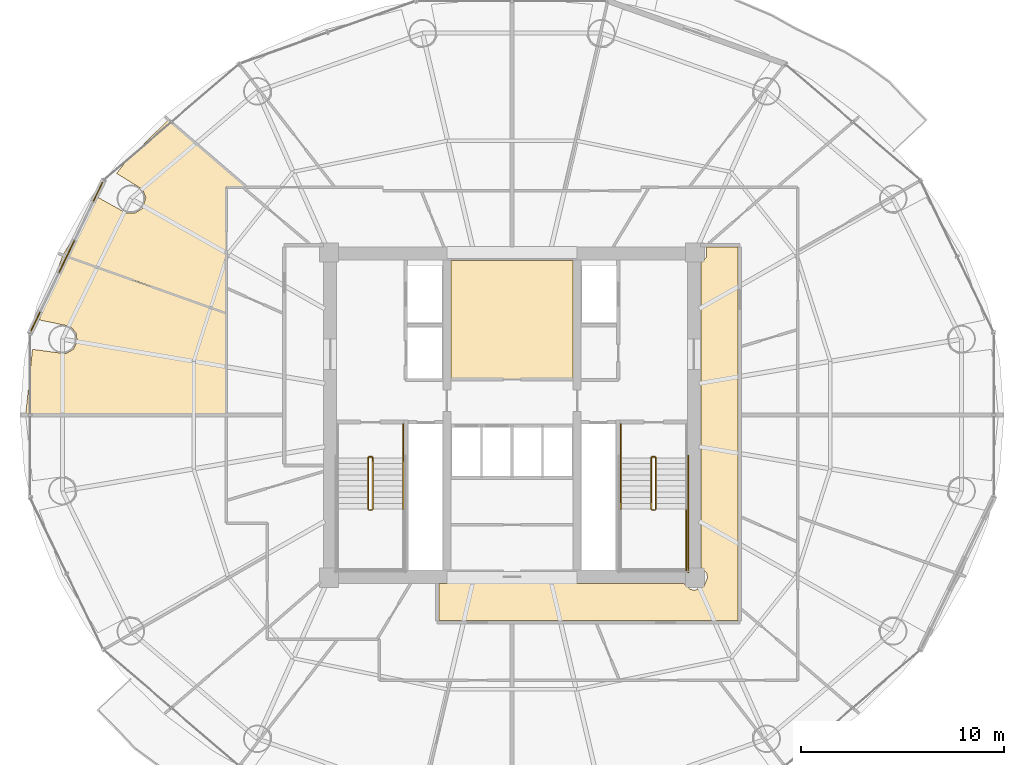
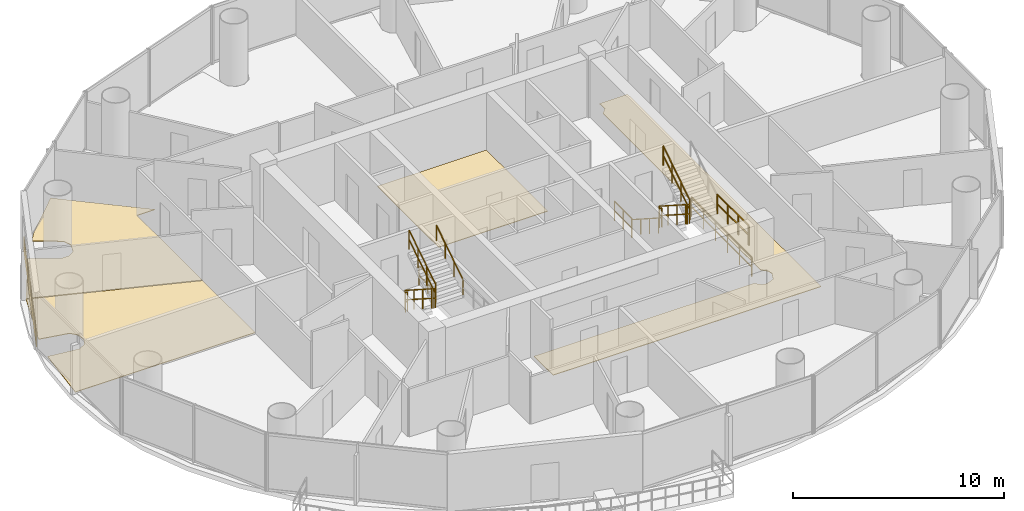
# One storey, part 26 of 27: 14 railings, 5 coverings.
"""IFC4 building model written with IfcOpenShell, lengths in metres."""

from ifc_helpers import new_model, si_unit, direction, frame, origin, origin_2d, place, context, subcontext, project, spatial, polyline, rectangle, outline, extrude, source, transform, mapped, material, layer, layer_set, type_object, element, save


model = new_model("IFC4")

# Units and contexts
model_context = context("Model", 3, precision=1e-05, world=origin(), true_north=direction((-0.2419218956, 0.970295726276)))
body_context = subcontext(model_context, "Body", "Model", "MODEL_VIEW")
ifc_project = project(units=[si_unit("LENGTHUNIT", "METRE"), si_unit("AREAUNIT", "SQUARE_METRE"), si_unit("VOLUMEUNIT", "CUBIC_METRE"), si_unit("PLANEANGLEUNIT", "RADIAN"), si_unit("MASSUNIT", "GRAM", prefix="KILO")], contexts=[model_context])

# Site, building, storey
site_placement = place(None, origin())
site = spatial("IfcSite", under=ifc_project, at=site_placement, CompositionType="ELEMENT")
building_placement = place(site_placement, origin())
building = spatial("IfcBuilding", under=site, at=building_placement, Name="Cobrevalo Terracotta Tower", CompositionType="ELEMENT")
storey_placement = place(building_placement, frame((0.0, 0.0, 157.0)))
storey = spatial("IfcBuildingStorey", under=building, at=storey_placement, Name="L41", CompositionType="ELEMENT", Elevation=157.0)

# Coverings
ifc_material_1 = material(Name="Engineered Brazilian hardwood flooring", Category="wood")
ifc_layer_1 = layer(ifc_material_1, 0.028076171875)
ifc_layer_set_1 = layer_set([ifc_layer_1], Name="Engineered Brazilian hardwood flooring")
covering_type_1 = type_object("IfcCoveringType", Name="Engineered Hardwood Suite Flooring 28", PredefinedType="FLOORING", material=ifc_layer_set_1)
covering_1_placement = place(storey_placement, origin())
element("IfcCovering", 1, at=covering_1_placement, inside=storey, type_object=covering_type_1, Name="Flat L41B Principal Guest Bedroom floor finish", PredefinedType="FLOORING", context=body_context, shape_type="SweptSolid", body=[
    extrude(outline(polyline([(17.632568359375, 37.50634765625), (19.017822265625, 36.736572265625), (19.447265625, 36.725830078125), (19.810302734375, 36.955322265625), (19.988525390625, 37.4931640625), (19.834228515625, 37.89404296875), (18.551513671875, 38.6865234375), (19.02197265625, 39.29052734375), (21.0888671875, 41.308837890625), (24.921142578125, 38.014892578125), (23.93505859375, 38.014892578125), (23.93505859375, 31.82861328125), (15.918212890625, 34.6826171875), (17.632568359375, 37.50634765625)])), origin(), (0.0, 0.0, 1.0), 0.030029296875),
])
covering_2_placement = place(storey_placement, origin())
element("IfcCovering", 2, at=covering_2_placement, inside=storey, type_object=covering_type_1, Name="Flat L41B Penthouse Family Lounge floor finish", PredefinedType="FLOORING", context=body_context, shape_type="SweptSolid", body=[
    extrude(outline(polyline([(23.93505859375, 31.7861328125), (23.93505859375, 26.820068359375), (14.08154296875, 26.820068359375), (14.41357421875, 30.03369140625), (16.048583984375, 29.814697265625), (16.421630859375, 30.028076171875), (16.613037109375, 30.41259765625), (16.55859375, 30.8388671875), (16.2763671875, 31.1630859375), (14.748291015625, 31.478271484375), (15.898681640625, 34.647216796875), (23.93505859375, 31.7861328125)])), origin(), (0.0, 0.0, 1.0), 0.030029296875),
])
ifc_material_2 = material(Name="Honed terracotta and granite tile", Category="masonry")
ifc_layer_2 = layer(ifc_material_2, 0.034912109375)
ifc_layer_set_2 = layer_set([ifc_layer_2], Name="Honed terracotta and granite tile")
covering_type_2 = type_object("IfcCoveringType", Name="Honed Terracotta & Granite Interior Flooring 35", PredefinedType="FLOORING", material=ifc_layer_set_2)
covering_3_placement = place(storey_placement, origin())
element("IfcCovering", 3, at=covering_3_placement, inside=storey, type_object=covering_type_2, Name="Floor Electrical Switchroom floor finish", PredefinedType="FLOORING", context=body_context, shape_type="SweptSolid", body=[
    extrude(outline(polyline([(35.010009765625, 34.405029296875), (40.989990234375, 34.405029296875), (40.989990234375, 28.580078125), (35.010009765625, 28.580078125), (35.010009765625, 34.405029296875)])), origin(), (0.0, 0.0, 1.0), 0.030029296875),
])
covering_4_placement = place(storey_placement, origin())
element("IfcCovering", 4, at=covering_4_placement, inside=storey, type_object=covering_type_2, Name="L41 Residential Floor Corridor 1 floor finish", PredefinedType="FLOORING", context=body_context, shape_type="SweptSolid", body=[
    extrude(outline(polyline([(34.419921875, 18.5048828125), (46.46533203125, 18.5048828125), (46.7626953125, 18.226806640625), (47.0, 18.1796875), (47.438720703125, 18.361328125), (47.620361328125, 18.800048828125), (47.5732421875, 19.037353515625), (47.294921875, 19.334716796875), (47.294921875, 34.265380859375), (47.5732421875, 34.5625), (47.5615234375, 35.054931640625), (49.10498046875, 35.054931640625), (49.10498046875, 16.695068359375), (34.419921875, 16.695068359375), (34.419921875, 18.5048828125)])), origin(), (0.0, 0.0, 1.0), 0.030029296875),
])

# Railings
ifc_material_3 = material(Name="Brushed stainless steel", Category="steel")
railing_type_1 = type_object("IfcRailingType", Name="Stainless Steel Stair Handrail 900", PredefinedType="HANDRAIL", material=ifc_material_3)
railing_1_placement = place(storey_placement, frame((32.64501953125, 22.179931640625, 1.97998046875)))
element("IfcRailing", 5, at=railing_1_placement, inside=storey, type_object=railing_type_1, Name="L41 ST-1 stair handrail 2", PredefinedType="HANDRAIL", context=body_context, shape_type="SweptSolid", body=[
    extrude(rectangle(XDim=0.048095703125, YDim=0.048095703125, at=origin_2d()), frame((0.0, 0.0, 0.8759765625), z_axis=(0.0, 0.841162588446, 0.540782303519), x_axis=(-1.0, 0.0, 0.0)), (0.0, 0.0, 1.0), 2.995849609375),
    extrude(rectangle(XDim=0.0419921875, YDim=0.0419921875, at=origin_2d()), origin(), (0.0, 0.0, 1.0), 0.851806640625),
    extrude(rectangle(XDim=0.0419921875, YDim=0.0419921875, at=origin_2d()), frame((0.0, 0.840087890625, 0.5400390625)), (0.0, 0.0, 1.0), 0.851806640625),
    extrude(rectangle(XDim=0.0419921875, YDim=0.0419921875, at=origin_2d()), frame((0.0, 1.679931640625, 1.080078125)), (0.0, 0.0, 1.0), 0.851806640625),
    extrude(rectangle(XDim=0.0419921875, YDim=0.0419921875, at=origin_2d()), frame((0.0, 2.52001953125, 1.6201171875)), (0.0, 0.0, 1.0), 0.851806640625),
])
railing_2_placement = place(storey_placement, frame((43.35498046875, 24.699951171875, 0.179931640625)))
element("IfcRailing", 6, at=railing_2_placement, inside=storey, type_object=railing_type_1, Name="L41 ST-2 stair handrail 1", PredefinedType="HANDRAIL", context=body_context, shape_type="SweptSolid", body=[
    extrude(rectangle(XDim=0.048095703125, YDim=0.048095703125, at=origin_2d()), frame((0.0, 0.0, 0.8759765625), z_axis=(0.0, -0.841162588446, 0.540782303519), x_axis=(1.0, 0.0, 0.0)), (0.0, 0.0, 1.0), 2.995849609375),
    extrude(rectangle(XDim=0.0419921875, YDim=0.0419921875, at=origin_2d()), origin(), (0.0, 0.0, 1.0), 0.851806640625),
    extrude(rectangle(XDim=0.0419921875, YDim=0.0419921875, at=origin_2d()), frame((0.0, -0.840087890625, 0.5400390625)), (0.0, 0.0, 1.0), 0.851806640625),
    extrude(rectangle(XDim=0.0419921875, YDim=0.0419921875, at=origin_2d()), frame((0.0, -1.679931640625, 1.080078125)), (0.0, 0.0, 1.0), 0.851806640625),
    extrude(rectangle(XDim=0.0419921875, YDim=0.0419921875, at=origin_2d()), frame((0.0, -2.52001953125, 1.6201171875)), (0.0, 0.0, 1.0), 0.851806640625),
])
ifc_material_4 = material(Name="Painted galvanized steel", Category="steel")
railing_type_2 = type_object("IfcRailingType", Name="Stair Well Guard Balustrade 1150", PredefinedType="GUARDRAIL", material=ifc_material_4)
railing_3_placement = place(storey_placement, frame((30.925048828125, 24.699951171875, 0.179931640625)))
element("IfcRailing", 7, at=railing_3_placement, inside=storey, type_object=railing_type_2, Name="L41 ST-1 stair guard 1", PredefinedType="GUARDRAIL", context=body_context, shape_type="SweptSolid", body=[
    extrude(rectangle(XDim=0.048095703125, YDim=0.048095703125, at=origin_2d()), frame((0.0, 0.0, 1.1259765625), z_axis=(0.0, -0.841162588446, 0.540782303519), x_axis=(1.0, 0.0, 0.0)), (0.0, 0.0, 1.0), 2.995849609375),
    extrude(rectangle(XDim=0.048095703125, YDim=0.048095703125, at=origin_2d()), frame((0.0, 0.0, 0.574951171875), z_axis=(0.0, -0.841162588446, 0.540782303519), x_axis=(1.0, 0.0, 0.0)), (0.0, 0.0, 1.0), 2.995849609375),
    extrude(rectangle(XDim=0.0419921875, YDim=0.0419921875, at=origin_2d()), origin(), (0.0, 0.0, 1.0), 1.101806640625),
    extrude(rectangle(XDim=0.0419921875, YDim=0.0419921875, at=origin_2d()), frame((0.0, -0.840087890625, 0.5400390625)), (0.0, 0.0, 1.0), 1.101806640625),
    extrude(rectangle(XDim=0.0419921875, YDim=0.0419921875, at=origin_2d()), frame((0.0, -1.679931640625, 1.080078125)), (0.0, 0.0, 1.0), 1.101806640625),
    extrude(rectangle(XDim=0.0419921875, YDim=0.0419921875, at=origin_2d()), frame((0.0, -2.52001953125, 1.6201171875)), (0.0, 0.0, 1.0), 1.101806640625),
])
railing_4_placement = place(storey_placement, frame((30.97509765625, 22.1298828125, 1.800048828125)))
element("IfcRailing", 8, at=railing_4_placement, inside=storey, type_object=railing_type_2, Name="L41 ST-1 stair guard 2", PredefinedType="GUARDRAIL", context=body_context, shape_type="SweptSolid", body=[
    extrude(rectangle(XDim=0.048095703125, YDim=0.048095703125, at=origin_2d()), frame((0.0, 0.0, 1.1259765625), z_axis=(1.0, 0.0, 0.0), x_axis=(0.0, 1.0, 0.0)), (0.0, 0.0, 1.0), 0.119873046875),
    extrude(rectangle(XDim=0.048095703125, YDim=0.048095703125, at=origin_2d()), frame((0.0, 0.0, 0.574951171875), z_axis=(1.0, 0.0, 0.0), x_axis=(0.0, 1.0, 0.0)), (0.0, 0.0, 1.0), 0.119873046875),
    extrude(rectangle(XDim=0.0419921875, YDim=0.0419921875, at=origin_2d()), origin(), (0.0, 0.0, 1.0), 1.101806640625),
    extrude(rectangle(XDim=0.0419921875, YDim=0.0419921875, at=origin_2d()), frame((0.119873046875, 0.0, 0.0)), (0.0, 0.0, 1.0), 1.101806640625),
])
railing_5_placement = place(storey_placement, frame((31.14501953125, 22.179931640625, 1.97998046875)))
element("IfcRailing", 9, at=railing_5_placement, inside=storey, type_object=railing_type_2, Name="L41 ST-1 stair guard 6", PredefinedType="GUARDRAIL", context=body_context, shape_type="SweptSolid", body=[
    extrude(rectangle(XDim=0.048095703125, YDim=0.048095703125, at=origin_2d()), frame((0.0, 0.0, 1.1259765625), z_axis=(0.0, 0.841162588446, 0.540782303519), x_axis=(-1.0, 0.0, 0.0)), (0.0, 0.0, 1.0), 2.995849609375),
    extrude(rectangle(XDim=0.048095703125, YDim=0.048095703125, at=origin_2d()), frame((0.0, 0.0, 0.574951171875), z_axis=(0.0, 0.841162588446, 0.540782303519), x_axis=(-1.0, 0.0, 0.0)), (0.0, 0.0, 1.0), 2.995849609375),
    extrude(rectangle(XDim=0.0419921875, YDim=0.0419921875, at=origin_2d()), origin(), (0.0, 0.0, 1.0), 1.101806640625),
    extrude(rectangle(XDim=0.0419921875, YDim=0.0419921875, at=origin_2d()), frame((0.0, 0.840087890625, 0.5400390625)), (0.0, 0.0, 1.0), 1.101806640625),
    extrude(rectangle(XDim=0.0419921875, YDim=0.0419921875, at=origin_2d()), frame((0.0, 1.679931640625, 1.080078125)), (0.0, 0.0, 1.0), 1.101806640625),
    extrude(rectangle(XDim=0.0419921875, YDim=0.0419921875, at=origin_2d()), frame((0.0, 2.52001953125, 1.6201171875)), (0.0, 0.0, 1.0), 1.101806640625),
])
railing_6_placement = place(storey_placement, frame((30.97509765625, 24.75, 0.0)))
element("IfcRailing", 10, at=railing_6_placement, inside=storey, type_object=railing_type_2, Name="L41 ST-1 stair guard 7", PredefinedType="GUARDRAIL", context=body_context, shape_type="SweptSolid", body=[
    extrude(rectangle(XDim=0.048095703125, YDim=0.048095703125, at=origin_2d()), frame((0.0, 0.0, 1.1259765625), z_axis=(1.0, 0.0, 0.0), x_axis=(0.0, 1.0, 0.0)), (0.0, 0.0, 1.0), 0.119873046875),
    extrude(rectangle(XDim=0.048095703125, YDim=0.048095703125, at=origin_2d()), frame((0.0, 0.0, 0.574951171875), z_axis=(1.0, 0.0, 0.0), x_axis=(0.0, 1.0, 0.0)), (0.0, 0.0, 1.0), 0.119873046875),
    extrude(rectangle(XDim=0.0419921875, YDim=0.0419921875, at=origin_2d()), origin(), (0.0, 0.0, 1.0), 1.101806640625),
    extrude(rectangle(XDim=0.0419921875, YDim=0.0419921875, at=origin_2d()), frame((0.119873046875, 0.0, 0.0)), (0.0, 0.0, 1.0), 1.101806640625),
])
railing_7_placement = place(storey_placement, frame((32.64501953125, 26.35009765625, 0.0)))
element("IfcRailing", 11, at=railing_7_placement, inside=storey, type_object=railing_type_2, Name="L41 ST-1 stair guard 9", PredefinedType="GUARDRAIL", context=body_context, shape_type="SweptSolid", body=[
    extrude(rectangle(XDim=0.048095703125, YDim=0.048095703125, at=origin_2d()), frame((0.0, 0.0, 1.1259765625), z_axis=(0.0, -1.0, 0.0), x_axis=(1.0, 0.0, 0.0)), (0.0, 0.0, 1.0), 1.650146484375),
    extrude(rectangle(XDim=0.048095703125, YDim=0.048095703125, at=origin_2d()), frame((0.0, 0.0, 0.574951171875), z_axis=(0.0, -1.0, 0.0), x_axis=(1.0, 0.0, 0.0)), (0.0, 0.0, 1.0), 1.650146484375),
    extrude(rectangle(XDim=0.0419921875, YDim=0.0419921875, at=origin_2d()), origin(), (0.0, 0.0, 1.0), 1.101806640625),
    extrude(rectangle(XDim=0.0419921875, YDim=0.0419921875, at=origin_2d()), frame((0.0, -0.8251953125, 0.0)), (0.0, 0.0, 1.0), 1.101806640625),
    extrude(rectangle(XDim=0.0419921875, YDim=0.0419921875, at=origin_2d()), frame((0.0, -1.650146484375, 0.0)), (0.0, 0.0, 1.0), 1.101806640625),
])
railing_8_placement = place(storey_placement, frame((44.85498046875, 24.699951171875, 0.179931640625)))
element("IfcRailing", 12, at=railing_8_placement, inside=storey, type_object=railing_type_2, Name="L41 ST-2 stair guard 1", PredefinedType="GUARDRAIL", context=body_context, shape_type="SweptSolid", body=[
    extrude(rectangle(XDim=0.048095703125, YDim=0.048095703125, at=origin_2d()), frame((0.0, 0.0, 1.1259765625), z_axis=(0.0, -0.841162588446, 0.540782303519), x_axis=(1.0, 0.0, 0.0)), (0.0, 0.0, 1.0), 2.995849609375),
    extrude(rectangle(XDim=0.048095703125, YDim=0.048095703125, at=origin_2d()), frame((0.0, 0.0, 0.574951171875), z_axis=(0.0, -0.841162588446, 0.540782303519), x_axis=(1.0, 0.0, 0.0)), (0.0, 0.0, 1.0), 2.995849609375),
    extrude(rectangle(XDim=0.0419921875, YDim=0.0419921875, at=origin_2d()), origin(), (0.0, 0.0, 1.0), 1.101806640625),
    extrude(rectangle(XDim=0.0419921875, YDim=0.0419921875, at=origin_2d()), frame((0.0, -0.840087890625, 0.5400390625)), (0.0, 0.0, 1.0), 1.101806640625),
    extrude(rectangle(XDim=0.0419921875, YDim=0.0419921875, at=origin_2d()), frame((0.0, -1.679931640625, 1.080078125)), (0.0, 0.0, 1.0), 1.101806640625),
    extrude(rectangle(XDim=0.0419921875, YDim=0.0419921875, at=origin_2d()), frame((0.0, -2.52001953125, 1.6201171875)), (0.0, 0.0, 1.0), 1.101806640625),
])
railing_9_placement = place(storey_placement, frame((44.905029296875, 22.1298828125, 1.800048828125)))
element("IfcRailing", 13, at=railing_9_placement, inside=storey, type_object=railing_type_2, Name="L41 ST-2 stair guard 2", PredefinedType="GUARDRAIL", context=body_context, shape_type="SweptSolid", body=[
    extrude(rectangle(XDim=0.048095703125, YDim=0.048095703125, at=origin_2d()), frame((0.0, 0.0, 1.1259765625), z_axis=(1.0, 0.0, 0.0), x_axis=(0.0, 1.0, 0.0)), (0.0, 0.0, 1.0), 0.119873046875),
    extrude(rectangle(XDim=0.048095703125, YDim=0.048095703125, at=origin_2d()), frame((0.0, 0.0, 0.574951171875), z_axis=(1.0, 0.0, 0.0), x_axis=(0.0, 1.0, 0.0)), (0.0, 0.0, 1.0), 0.119873046875),
    extrude(rectangle(XDim=0.0419921875, YDim=0.0419921875, at=origin_2d()), origin(), (0.0, 0.0, 1.0), 1.101806640625),
    extrude(rectangle(XDim=0.0419921875, YDim=0.0419921875, at=origin_2d()), frame((0.119873046875, 0.0, 0.0)), (0.0, 0.0, 1.0), 1.101806640625),
])
railing_10_placement = place(storey_placement, frame((46.574951171875, 22.179931640625, 1.800048828125)))
element("IfcRailing", 14, at=railing_10_placement, inside=storey, type_object=railing_type_2, Name="L41 ST-2 stair guard 4", PredefinedType="GUARDRAIL", context=body_context, shape_type="SweptSolid", body=[
    extrude(rectangle(XDim=0.048095703125, YDim=0.048095703125, at=origin_2d()), frame((0.0, 0.0, 1.1259765625), z_axis=(0.0, -1.0, 0.0), x_axis=(1.0, 0.0, 0.0)), (0.0, 0.0, 1.0), 3.0048828125),
    extrude(rectangle(XDim=0.048095703125, YDim=0.048095703125, at=origin_2d()), frame((0.0, 0.0, 0.574951171875), z_axis=(0.0, -1.0, 0.0), x_axis=(1.0, 0.0, 0.0)), (0.0, 0.0, 1.0), 3.0048828125),
    extrude(rectangle(XDim=0.0419921875, YDim=0.0419921875, at=origin_2d()), origin(), (0.0, 0.0, 1.0), 1.101806640625),
    extrude(rectangle(XDim=0.0419921875, YDim=0.0419921875, at=origin_2d()), frame((0.0, -1.001708984375, 0.0)), (0.0, 0.0, 1.0), 1.101806640625),
    extrude(rectangle(XDim=0.0419921875, YDim=0.0419921875, at=origin_2d()), frame((0.0, -2.003173828125, 0.0)), (0.0, 0.0, 1.0), 1.101806640625),
    extrude(rectangle(XDim=0.0419921875, YDim=0.0419921875, at=origin_2d()), frame((0.0, -3.0048828125, 0.0)), (0.0, 0.0, 1.0), 1.101806640625),
])
railing_11_placement = place(storey_placement, frame((45.074951171875, 22.179931640625, 1.97998046875)))
element("IfcRailing", 15, at=railing_11_placement, inside=storey, type_object=railing_type_2, Name="L41 ST-2 stair guard 6", PredefinedType="GUARDRAIL", context=body_context, shape_type="SweptSolid", body=[
    extrude(rectangle(XDim=0.048095703125, YDim=0.048095703125, at=origin_2d()), frame((0.0, 0.0, 1.1259765625), z_axis=(0.0, 0.841162588446, 0.540782303519), x_axis=(-1.0, 0.0, 0.0)), (0.0, 0.0, 1.0), 2.995849609375),
    extrude(rectangle(XDim=0.048095703125, YDim=0.048095703125, at=origin_2d()), frame((0.0, 0.0, 0.574951171875), z_axis=(0.0, 0.841162588446, 0.540782303519), x_axis=(-1.0, 0.0, 0.0)), (0.0, 0.0, 1.0), 2.995849609375),
    extrude(rectangle(XDim=0.0419921875, YDim=0.0419921875, at=origin_2d()), origin(), (0.0, 0.0, 1.0), 1.101806640625),
    extrude(rectangle(XDim=0.0419921875, YDim=0.0419921875, at=origin_2d()), frame((0.0, 0.840087890625, 0.5400390625)), (0.0, 0.0, 1.0), 1.101806640625),
    extrude(rectangle(XDim=0.0419921875, YDim=0.0419921875, at=origin_2d()), frame((0.0, 1.679931640625, 1.080078125)), (0.0, 0.0, 1.0), 1.101806640625),
    extrude(rectangle(XDim=0.0419921875, YDim=0.0419921875, at=origin_2d()), frame((0.0, 2.52001953125, 1.6201171875)), (0.0, 0.0, 1.0), 1.101806640625),
])
railing_12_placement = place(storey_placement, frame((44.905029296875, 24.75, 0.0)))
element("IfcRailing", 16, at=railing_12_placement, inside=storey, type_object=railing_type_2, Name="L41 ST-2 stair guard 7", PredefinedType="GUARDRAIL", context=body_context, shape_type="SweptSolid", body=[
    extrude(rectangle(XDim=0.048095703125, YDim=0.048095703125, at=origin_2d()), frame((0.0, 0.0, 1.1259765625), z_axis=(1.0, 0.0, 0.0), x_axis=(0.0, 1.0, 0.0)), (0.0, 0.0, 1.0), 0.119873046875),
    extrude(rectangle(XDim=0.048095703125, YDim=0.048095703125, at=origin_2d()), frame((0.0, 0.0, 0.574951171875), z_axis=(1.0, 0.0, 0.0), x_axis=(0.0, 1.0, 0.0)), (0.0, 0.0, 1.0), 0.119873046875),
    extrude(rectangle(XDim=0.0419921875, YDim=0.0419921875, at=origin_2d()), origin(), (0.0, 0.0, 1.0), 1.101806640625),
    extrude(rectangle(XDim=0.0419921875, YDim=0.0419921875, at=origin_2d()), frame((0.119873046875, 0.0, 0.0)), (0.0, 0.0, 1.0), 1.101806640625),
])
railing_13_placement = place(storey_placement, frame((43.35498046875, 26.35009765625, 0.0)))
element("IfcRailing", 17, at=railing_13_placement, inside=storey, type_object=railing_type_2, Name="L41 ST-2 stair guard 8", PredefinedType="GUARDRAIL", context=body_context, shape_type="SweptSolid", body=[
    extrude(rectangle(XDim=0.048095703125, YDim=0.048095703125, at=origin_2d()), frame((0.0, 0.0, 1.1259765625), z_axis=(0.0, -1.0, 0.0), x_axis=(1.0, 0.0, 0.0)), (0.0, 0.0, 1.0), 1.650146484375),
    extrude(rectangle(XDim=0.048095703125, YDim=0.048095703125, at=origin_2d()), frame((0.0, 0.0, 0.574951171875), z_axis=(0.0, -1.0, 0.0), x_axis=(1.0, 0.0, 0.0)), (0.0, 0.0, 1.0), 1.650146484375),
    extrude(rectangle(XDim=0.0419921875, YDim=0.0419921875, at=origin_2d()), origin(), (0.0, 0.0, 1.0), 1.101806640625),
    extrude(rectangle(XDim=0.0419921875, YDim=0.0419921875, at=origin_2d()), frame((0.0, -0.8251953125, 0.0)), (0.0, 0.0, 1.0), 1.101806640625),
    extrude(rectangle(XDim=0.0419921875, YDim=0.0419921875, at=origin_2d()), frame((0.0, -1.650146484375, 0.0)), (0.0, 0.0, 1.0), 1.101806640625),
])
railing_14_placement = place(storey_placement, frame((46.675048828125, 24.800048828125, 0.0)))
element("IfcRailing", 18, at=railing_14_placement, inside=storey, type_object=railing_type_2, Name="L41 ST-2 stair guard 11", PredefinedType="GUARDRAIL", context=body_context, shape_type="SweptSolid", body=[
    extrude(rectangle(XDim=0.048095703125, YDim=0.048095703125, at=origin_2d()), frame((0.0, 0.0, 1.1259765625), z_axis=(0.0, -1.0, 0.0), x_axis=(1.0, 0.0, 0.0)), (0.0, 0.0, 1.0), 5.72509765625),
    extrude(rectangle(XDim=0.048095703125, YDim=0.048095703125, at=origin_2d()), frame((0.0, 0.0, 0.574951171875), z_axis=(0.0, -1.0, 0.0), x_axis=(1.0, 0.0, 0.0)), (0.0, 0.0, 1.0), 5.72509765625),
    extrude(rectangle(XDim=0.0419921875, YDim=0.0419921875, at=origin_2d()), origin(), (0.0, 0.0, 1.0), 1.101806640625),
    extrude(rectangle(XDim=0.0419921875, YDim=0.0419921875, at=origin_2d()), frame((0.0, -1.14501953125, 0.0)), (0.0, 0.0, 1.0), 1.101806640625),
    extrude(rectangle(XDim=0.0419921875, YDim=0.0419921875, at=origin_2d()), frame((0.0, -2.2900390625, 0.0)), (0.0, 0.0, 1.0), 1.101806640625),
    extrude(rectangle(XDim=0.0419921875, YDim=0.0419921875, at=origin_2d()), frame((0.0, -3.43505859375, 0.0)), (0.0, 0.0, 1.0), 1.101806640625),
    extrude(rectangle(XDim=0.0419921875, YDim=0.0419921875, at=origin_2d()), frame((0.0, -4.580078125, 0.0)), (0.0, 0.0, 1.0), 1.101806640625),
    extrude(rectangle(XDim=0.0419921875, YDim=0.0419921875, at=origin_2d()), frame((0.0, -5.72509765625, 0.0)), (0.0, 0.0, 1.0), 1.101806640625),
])

# Covering
ifc_material_5 = material(Name="Glazed terracotta facade cladding tile", Category="masonry")
ifc_layer_3 = layer(ifc_material_5, 0.044921875)
ifc_layer_set_3 = layer_set([ifc_layer_3], Name="Glazed terracotta facade cladding tile")
covering_type_3 = type_object("IfcCoveringType", Name="Architectural terracotta rainscreen spandrel cladding 45 mm", PredefinedType="CLADDING", material=ifc_layer_set_3)
shared_shape = source(origin(), body_context, "Body", "SweptSolid", [
    extrude(rectangle(XDim=8.111572265625, YDim=0.044921875, at=origin_2d()), origin(), (0.0, 0.0, 1.0), 0.760009765625),
])
covering_5_placement = place(storey_placement, frame((16.098876953125, 34.595703125, 0.0400390625), z_axis=(0.0, 0.0, 1.0), x_axis=(-0.434209440271, -0.900811945957, 0.0)))
element("IfcCovering", 19, at=covering_5_placement, inside=storey, type_object=covering_type_3, Name="L41 terracotta spandrel cladding S07", PredefinedType="CLADDING", context=body_context, shape_type="MappedRepresentation", body=[
    mapped(shared_shape, transform((0.0, 0.0, 0.0), scale=1.0)),
])

save(model, "model.ifc")
